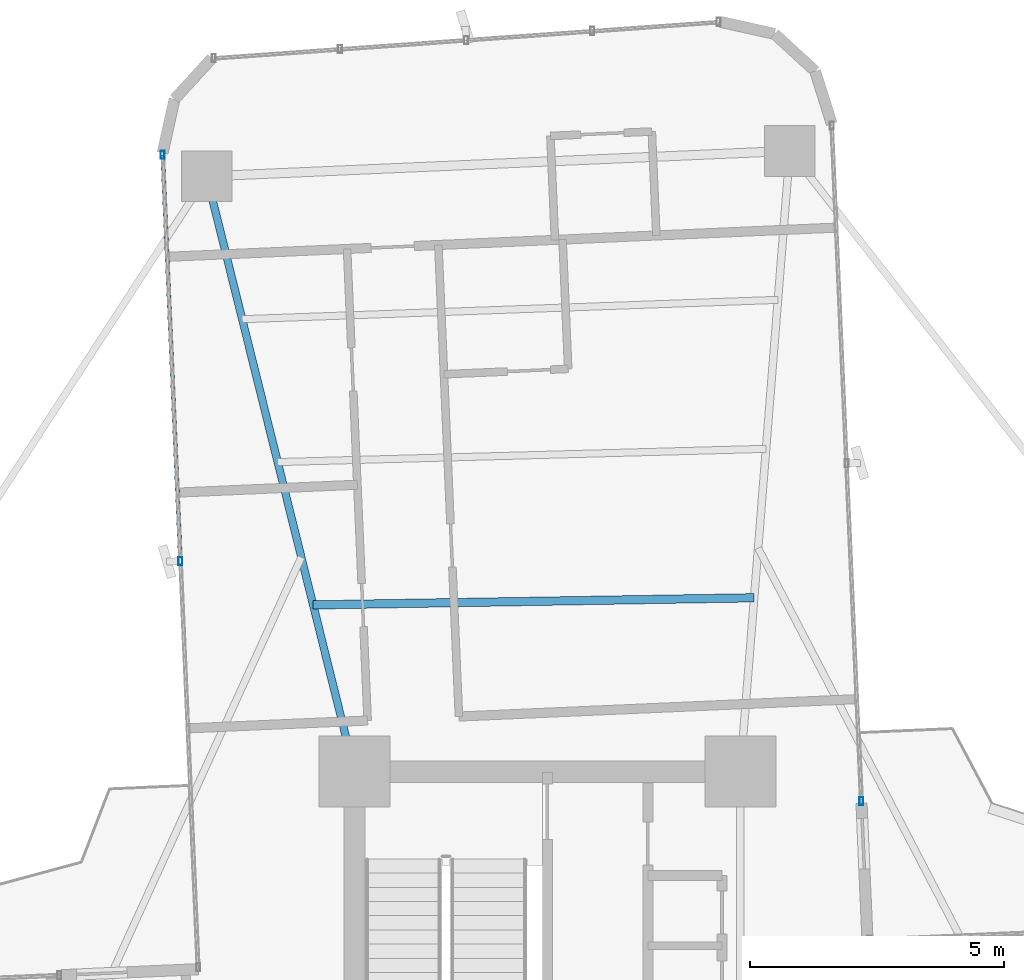
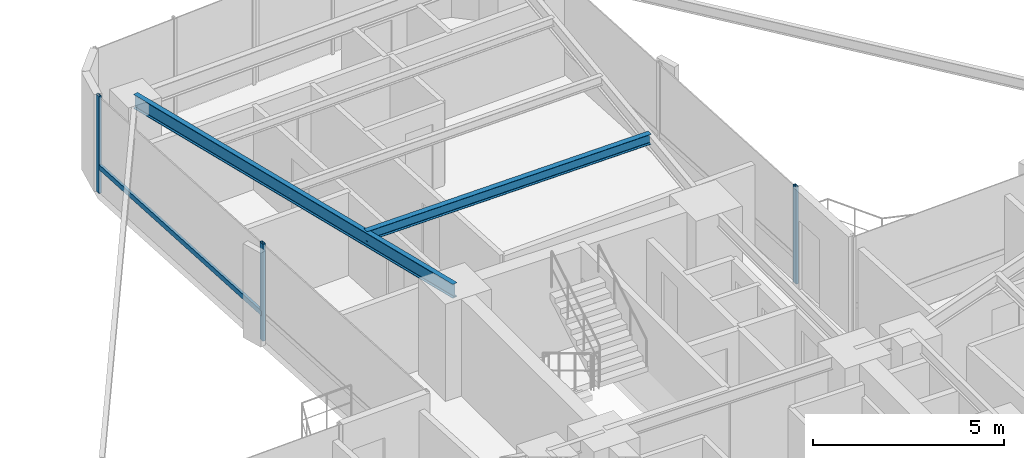
# One storey, part 17 of 27: 4 members, 2 beams, 2 elements without a shape of their own.
"""IFC4 building model written with IfcOpenShell, lengths in metres."""

from ifc_helpers import new_model, si_unit, direction, frame, origin, origin_2d, place, context, subcontext, project, spatial, hollow_rectangle, i_section, extrude, source, transform, mapped, material, material_profile, profile_set, type_object, element, aggregate, save


model = new_model("IFC4")

# Units and contexts
model_context = context("Model", 3, precision=1e-05, world=origin(), true_north=direction((0.0, 1.0)))
body_context = subcontext(model_context, "Body", "Model", "MODEL_VIEW")
ifc_project = project(units=[si_unit("LENGTHUNIT", "METRE"), si_unit("AREAUNIT", "SQUARE_METRE"), si_unit("VOLUMEUNIT", "CUBIC_METRE"), si_unit("PLANEANGLEUNIT", "RADIAN"), si_unit("MASSUNIT", "GRAM", prefix="KILO")], contexts=[model_context])

# Site, building, storey
site_placement = place(None, origin())
site = spatial("IfcSite", under=ifc_project, at=site_placement, CompositionType="ELEMENT")
building_placement = place(site_placement, origin())
building = spatial("IfcBuilding", under=site, at=building_placement, Name="Sahyath Konkavel Grand Hotel", CompositionType="ELEMENT")
storey_placement = place(building_placement, frame((0.0, 0.0, 90.199951171875)))
storey = spatial("IfcBuildingStorey", under=building, at=storey_placement, Name="L24", CompositionType="ELEMENT", Elevation=90.199951171875)

# Beams
ifc_material_1 = material(Name="Steel E350", Category="steel")
ifc_material_profile_1 = material_profile(ifc_material_1, i_section(OverallWidth=0.14990234375, OverallDepth=0.449951171875, WebThickness=0.009521484375, FlangeThickness=0.017333984375, FilletRadius=0.014892578125, at=origin_2d()), Name="ISMB 450")
ifc_profile_set_1 = profile_set([ifc_material_profile_1], Name="Steel E350")
beam_type_1 = type_object("IfcBeamType", Name="BM-ISMB450", PredefinedType="BEAM", material=ifc_profile_set_1)
shared_shape_1 = source(origin(), body_context, "Body", "SweptSolid", [
    extrude(i_section(OverallWidth=0.14990234375, OverallDepth=0.449951171875, WebThickness=0.009521484375, FlangeThickness=0.017333984375, FilletRadius=0.014892578125, at=origin_2d()), origin(), (0.0, 0.0, 1.0), 12.084228515625),
])
beam_1_placement = place(storey_placement, frame((-3.800048828125, 10.199951171875, 2.885009765625), z_axis=(-0.241042688481, 0.970514514229, 0.0), x_axis=(-0.970514514229, -0.241042688481, 0.0)))
element("IfcBeam", 1, at=beam_1_placement, inside=storey, type_object=beam_type_1, Name="L24 Cruciform Radial Girder NB", PredefinedType="BEAM", context=body_context, shape_type="MappedRepresentation", body=[
    mapped(shared_shape_1, transform((0.0, 0.0, 0.0), scale=1.0)),
])
ifc_material_profile_2 = material_profile(ifc_material_1, i_section(OverallWidth=0.1650390625, OverallDepth=0.324951171875, WebThickness=0.007080078125, FlangeThickness=0.009765625, FilletRadius=0.014892578125, at=origin_2d()), Name="ISLB 325")
ifc_profile_set_2 = profile_set([ifc_material_profile_2], Name="Steel E350")
beam_type_2 = type_object("IfcBeamType", Name="BM-ISLB325", PredefinedType="BEAM", material=ifc_profile_set_2)
shared_shape_2 = source(origin(), body_context, "Body", "SweptSolid", [
    extrude(i_section(OverallWidth=0.1650390625, OverallDepth=0.324951171875, WebThickness=0.007080078125, FlangeThickness=0.009765625, FilletRadius=0.014892578125, at=origin_2d()), origin(), (0.0, 0.0, 1.0), 8.68994140625),
])
beam_2_placement = place(storey_placement, frame((4.0732421875, 13.624267578125, 2.947509765625), z_axis=(-0.999869506431, -0.016154569283, 0.0), x_axis=(0.016154569283, -0.999869506431, 0.0)))
element("IfcBeam", 2, at=beam_2_placement, inside=storey, type_object=beam_type_2, Name="L24 Secondary Floor Beam N-1", PredefinedType="BEAM", context=body_context, shape_type="MappedRepresentation", body=[
    mapped(shared_shape_2, transform((0.0, 0.0, 0.0), scale=1.0)),
])

# Curtain wall, member
ifc_material_2 = material(Name="Anodised Bronze Aluminium & Low-E Glazing", Category="aluminium")
curtain_wall_type = type_object("IfcCurtainWallType", Name="CW-ZONE2", PredefinedType="NOTDEFINED", material=ifc_material_2)
curtain_wall_1_placement = place(storey_placement, origin())
curtain_wall_1 = element("IfcCurtainWall", 3, at=curtain_wall_1_placement, inside=storey, type_object=curtain_wall_type, Name="L24 Unitised Curtain Wall F8", PredefinedType="NOTDEFINED")
ifc_material_3 = material(Name="Anodised Bronze Aluminium", Category="aluminium")
ifc_material_profile_3 = material_profile(ifc_material_3, hollow_rectangle(XDim=0.080078125, YDim=0.159912109375, WallThickness=0.006103515625, at=origin_2d()), Name="RHS 160x80x6")
ifc_profile_set_3 = profile_set([ifc_material_profile_3], Name="Anodised Bronze Aluminium")
member_type_1 = type_object("IfcMemberType", Name="CW-MUL-160", PredefinedType="MULLION", material=ifc_profile_set_3)
shared_shape_3 = source(origin(), body_context, "Body", "SweptSolid", [
    extrude(hollow_rectangle(XDim=0.080078125, YDim=0.159912109375, WallThickness=0.006103515625, at=origin_2d()), origin(), (0.0, 0.0, 1.0), 3.110107421875),
])
member_1_placement = place(storey_placement, frame((6.186279296875, 9.618896484375, 0.0), z_axis=(0.0, 0.0, 1.0), x_axis=(1.0, 0.0, 0.0)))
member_1 = element("IfcMember", 4, at=member_1_placement, type_object=member_type_1, Name="L24 Curtain Wall Mullion F8-0", PredefinedType="MULLION", context=body_context, shape_type="MappedRepresentation", body=[
    mapped(shared_shape_3, transform((0.0, 0.0, 0.0), scale=1.0)),
])
aggregate(curtain_wall_1, [member_1])

# Curtain wall, members
curtain_wall_2_placement = place(storey_placement, origin())
curtain_wall_2 = element("IfcCurtainWall", 5, at=curtain_wall_2_placement, inside=storey, type_object=curtain_wall_type, Name="L24 Unitised Curtain Wall F15", PredefinedType="NOTDEFINED")
member_2_placement = place(storey_placement, frame((-7.582275390625, 22.3505859375, 0.0), z_axis=(0.0, 0.0, 1.0), x_axis=(1.0, 0.0, 0.0)))
member_2 = element("IfcMember", 6, at=member_2_placement, type_object=member_type_1, Name="L24 Curtain Wall Mullion F15-0", PredefinedType="MULLION", context=body_context, shape_type="MappedRepresentation", body=[
    mapped(shared_shape_3, transform((0.0, 0.0, 0.0), scale=1.0)),
])
member_3_placement = place(storey_placement, frame((-7.232666015625, 14.34814453125, 0.0), z_axis=(0.0, 0.0, 1.0), x_axis=(1.0, 0.0, 0.0)))
member_3 = element("IfcMember", 7, at=member_3_placement, type_object=member_type_1, Name="L24 Curtain Wall Mullion F15-1", PredefinedType="MULLION", context=body_context, shape_type="MappedRepresentation", body=[
    mapped(shared_shape_3, transform((0.0, 0.0, 0.0), scale=1.0)),
])
ifc_material_profile_4 = material_profile(ifc_material_3, hollow_rectangle(XDim=0.080078125, YDim=0.159912109375, WallThickness=0.006103515625, at=origin_2d()), Name="RHS 160x80x6")
ifc_profile_set_4 = profile_set([ifc_material_profile_4], Name="Anodised Bronze Aluminium")
member_type_2 = type_object("IfcMemberType", Name="CW-TRN-160", PredefinedType="USERDEFINED", material=ifc_profile_set_4)
shared_shape_4 = source(origin(), body_context, "Body", "SweptSolid", [
    extrude(hollow_rectangle(XDim=0.080078125, YDim=0.159912109375, WallThickness=0.006103515625, at=origin_2d()), origin(), (0.0, 0.0, 1.0), 8.010009765625),
])
member_4_placement = place(storey_placement, frame((-7.582275390625, 22.3505859375, 0.85009765625), z_axis=(0.043646207089, -0.999047050247, 0.0), x_axis=(0.999047050247, 0.043646207089, 0.0)))
member_4 = element("IfcMember", 8, at=member_4_placement, type_object=member_type_2, Name="L24 Curtain Wall Transom F15-0-spandrel", ObjectType="TRANSOM", PredefinedType="USERDEFINED", context=body_context, shape_type="MappedRepresentation", body=[
    mapped(shared_shape_4, transform((0.0, 0.0, 0.0), scale=1.0)),
])
aggregate(curtain_wall_2, [member_2, member_3, member_4])

save(model, "model.ifc")
